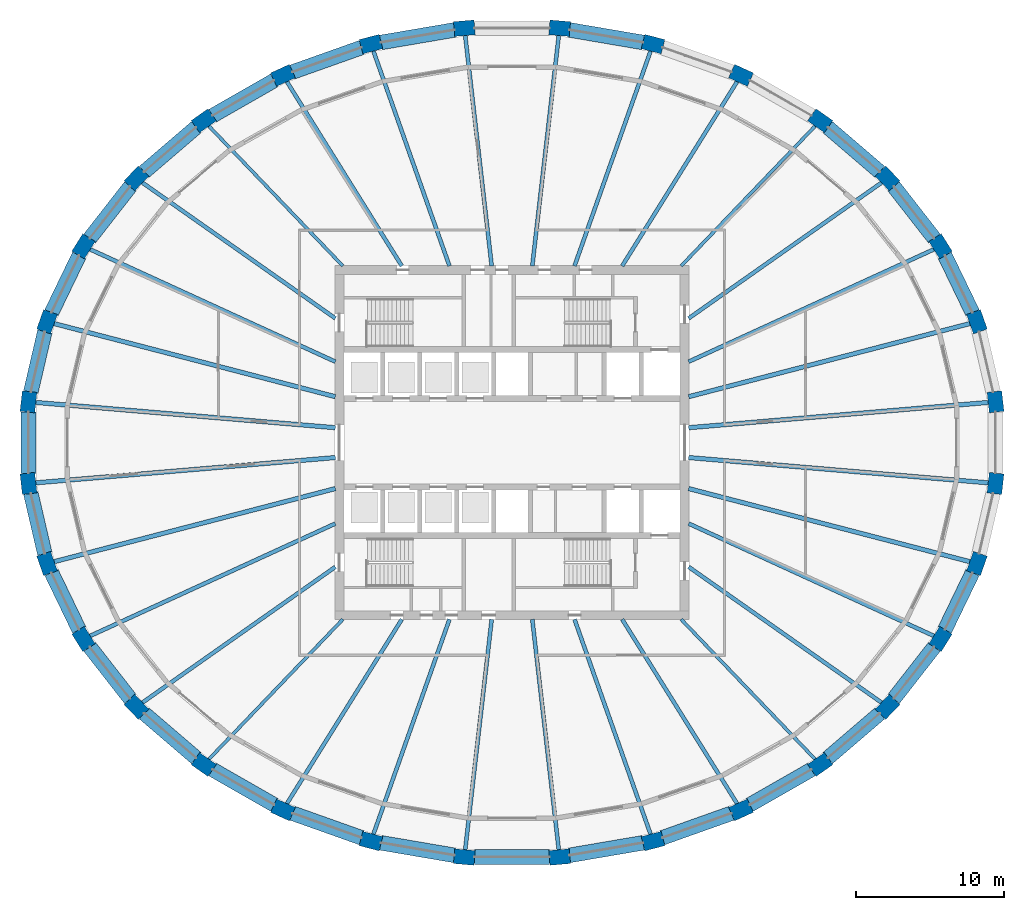
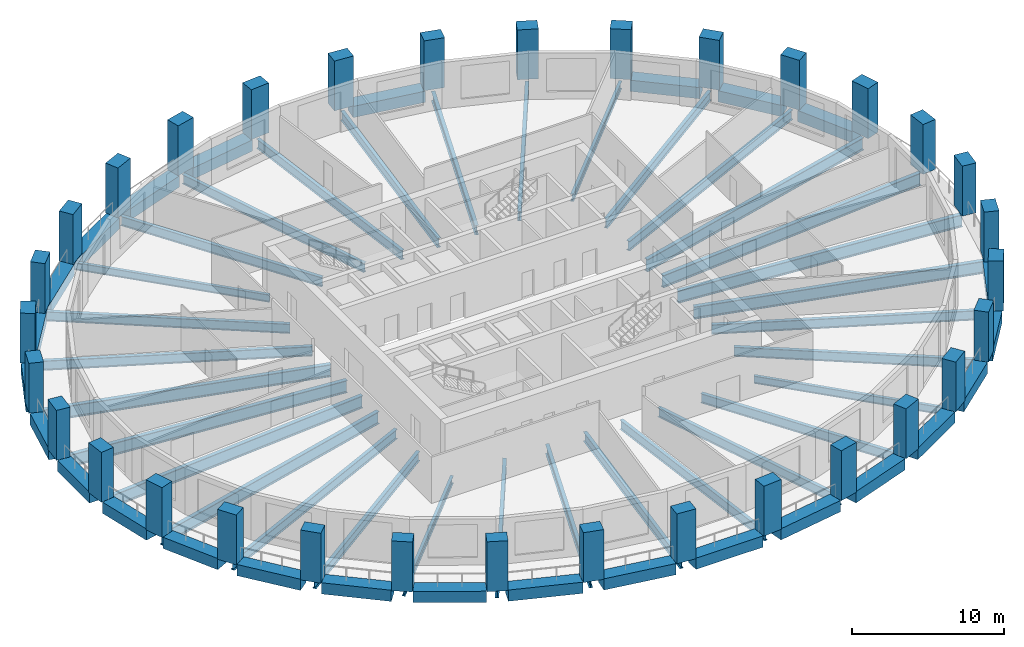
# One storey, part 1 of 10: 58 beams, 32 columns.
"""IFC4 building model written with IfcOpenShell, lengths in metres."""

from ifc_helpers import new_model, si_unit, direction, frame, origin, origin_2d, place, context, subcontext, project, spatial, rectangle, i_section, extrude, material, material_profile, profile_set, type_object, element, save


model = new_model("IFC4")

# Units and contexts
model_context = context("Model", 3, precision=1e-05, world=origin(), true_north=direction((0.0, 1.0)))
body_context = subcontext(model_context, "Body", "Model", "MODEL_VIEW")
ifc_project = project(units=[si_unit("LENGTHUNIT", "METRE"), si_unit("AREAUNIT", "SQUARE_METRE"), si_unit("VOLUMEUNIT", "CUBIC_METRE"), si_unit("PLANEANGLEUNIT", "RADIAN"), si_unit("MASSUNIT", "GRAM", prefix="KILO")], contexts=[model_context])

# Site, building, storey
site_placement = place(None, origin())
site = spatial("IfcSite", under=ifc_project, at=site_placement, CompositionType="ELEMENT")
building_placement = place(site_placement, origin())
building = spatial("IfcBuilding", under=site, at=building_placement, Name="Halqa Exchange Tower", CompositionType="ELEMENT")
storey_placement = place(building_placement, frame((0.0, 0.0, 178.89990234375)))
storey = spatial("IfcBuildingStorey", under=building, at=storey_placement, Name="L40", CompositionType="ELEMENT", Elevation=178.89990234375)

# Columns
ifc_material_1 = material(Name="Concrete C70/85", Category="concrete")
ifc_material_profile_1 = material_profile(ifc_material_1, rectangle(XDim=1.39990234375, YDim=1.0, at=origin_2d()), Name="1400 x 1000")
ifc_profile_set_1 = profile_set([ifc_material_profile_1], Name="Concrete C70/85")
column_type = type_object("IfcColumnType", Name="RC ring column 1400 x 1000 C70/85", PredefinedType="COLUMN", material=ifc_profile_set_1)
for number, where, z_axis, x_axis, name in (
    (1, (32.7626953125, 2.765869140625, 0.0), (0.0, 0.0, 1.0), (-0.114158655897, 0.993462531394, 0.0), "Ring column 1"),
    (2, (31.50341796875, 8.19140625, 0.0), (0.0, 0.0, 1.0), (-0.333632460227, 0.942703230865, 0.0), "Ring column 2"),
    (3, (29.03369140625, 13.302001953125, 0.0), (0.0, 0.0, 1.0), (-0.529137534311, 0.848536074533, 0.0), "Ring column 3"),
    (4, (25.448486328125, 17.9013671875, 0.0), (0.0, 0.0, 1.0), (-0.691574830638, 0.722304820438, 0.0), "Ring column 4"),
    (5, (20.885009765625, 21.81298828125, 0.0), (0.0, 0.0, 1.0), (-0.817911800523, 0.575343624772, 0.0), "Ring column 5"),
    (6, (15.518798828125, 24.885986328125, 0.0), (0.0, 0.0, 1.0), (-0.909127822794, 0.416517228722, 0.0), "Ring column 6"),
    (7, (9.556396484375, 27.0029296875, 0.0), (0.0, 0.0, 1.0), (-0.967819503571, 0.251645402317, 0.0), "Ring column 7"),
    (8, (3.226806640625, 28.082275390625, 0.0), (0.0, 0.0, 1.0), (-0.996455372165, 0.084123072248, 0.0), "Ring column 8"),
    (9, (-3.226806640625, 28.082275390625, 0.0), (0.0, 0.0, 1.0), (-0.996455372165, -0.084123072248, 0.0), "Ring column 9"),
    (10, (-9.556396484375, 27.0029296875, 0.0), (0.0, 0.0, 1.0), (-0.967819503571, -0.251645402317, 0.0), "Ring column 10"),
    (11, (-15.518798828125, 24.885986328125, 0.0), (0.0, 0.0, 1.0), (-0.909127822794, -0.416517228722, 0.0), "Ring column 11"),
    (12, (-20.885009765625, 21.81298828125, 0.0), (0.0, 0.0, 1.0), (-0.817911800523, -0.575343624772, 0.0), "Ring column 12"),
    (13, (-25.448486328125, 17.9013671875, 0.0), (0.0, 0.0, 1.0), (-0.691574830638, -0.722304820438, 0.0), "Ring column 13"),
    (14, (-29.03369140625, 13.302001953125, 0.0), (0.0, 0.0, 1.0), (-0.529137534311, -0.848536074533, 0.0), "Ring column 14"),
    (15, (-31.50341796875, 8.19140625, 0.0), (0.0, 0.0, 1.0), (-0.333632460227, -0.942703230865, 0.0), "Ring column 15"),
    (16, (-32.7626953125, 2.765869140625, 0.0), (0.0, 0.0, 1.0), (-0.114158655897, -0.993462531394, 0.0), "Ring column 16"),
    (17, (-32.7626953125, -2.765869140625, 0.0), (0.0, 0.0, 1.0), (0.114158655897, -0.993462531394, 0.0), "Ring column 17"),
    (18, (-31.50341796875, -8.19140625, 0.0), (0.0, 0.0, 1.0), (0.333632460227, -0.942703230865, 0.0), "Ring column 18"),
    (19, (-29.03369140625, -13.302001953125, 0.0), (0.0, 0.0, 1.0), (0.529137534311, -0.848536074533, 0.0), "Ring column 19"),
    (20, (-25.448486328125, -17.9013671875, 0.0), (0.0, 0.0, 1.0), (0.691574830638, -0.722304820438, 0.0), "Ring column 20"),
    (21, (-20.885009765625, -21.81298828125, 0.0), (0.0, 0.0, 1.0), (0.817911800523, -0.575343624772, 0.0), "Ring column 21"),
    (22, (-15.518798828125, -24.885986328125, 0.0), (0.0, 0.0, 1.0), (0.909127822794, -0.416517228722, 0.0), "Ring column 22"),
    (23, (-9.556396484375, -27.0029296875, 0.0), (0.0, 0.0, 1.0), (0.967819503571, -0.251645402317, 0.0), "Ring column 23"),
    (24, (-3.226806640625, -28.082275390625, 0.0), (0.0, 0.0, 1.0), (0.996455372165, -0.084123072248, 0.0), "Ring column 24"),
    (25, (3.226806640625, -28.082275390625, 0.0), (0.0, 0.0, 1.0), (0.996455372165, 0.084123072248, 0.0), "Ring column 25"),
    (26, (9.556396484375, -27.0029296875, 0.0), (0.0, 0.0, 1.0), (0.967819503571, 0.251645402317, 0.0), "Ring column 26"),
    (27, (15.518798828125, -24.885986328125, 0.0), (0.0, 0.0, 1.0), (0.909127822794, 0.416517228722, 0.0), "Ring column 27"),
    (28, (20.885009765625, -21.81298828125, 0.0), (0.0, 0.0, 1.0), (0.817911800523, 0.575343624772, 0.0), "Ring column 28"),
    (29, (25.448486328125, -17.9013671875, 0.0), (0.0, 0.0, 1.0), (0.691574830638, 0.722304820438, 0.0), "Ring column 29"),
    (30, (29.03369140625, -13.302001953125, 0.0), (0.0, 0.0, 1.0), (0.529137534311, 0.848536074533, 0.0), "Ring column 30"),
    (31, (31.50341796875, -8.19140625, 0.0), (0.0, 0.0, 1.0), (0.333632460227, 0.942703230865, 0.0), "Ring column 31"),
    (32, (32.7626953125, -2.765869140625, 0.0), (0.0, 0.0, 1.0), (0.114158655897, 0.993462531394, 0.0), "Ring column 32"),
):
    element("IfcColumn", number, at=place(storey_placement, frame(where, z_axis=z_axis, x_axis=x_axis)), inside=storey, type_object=column_type, Name=name, PredefinedType="COLUMN", context=body_context, shape_type="SweptSolid", body=[
        extrude(rectangle(XDim=1.39990234375, YDim=1.0, at=origin_2d()), origin(), (0.0, 0.0, 1.0), 4.0),
    ])

# Beams
ifc_material_2 = material(Name="Steel S355", Category="steel")
ifc_material_profile_2 = material_profile(ifc_material_2, i_section(OverallWidth=0.300048828125, OverallDepth=0.989990234375, WebThickness=0.0166015625, FlangeThickness=0.031005859375, FilletRadius=0.030029296875, at=origin_2d()), Name="HEA 1000")
ifc_profile_set_2 = profile_set([ifc_material_profile_2], Name="Steel S355")
beam_type_1 = type_object("IfcBeamType", Name="Floor beam HEA 1000", PredefinedType="BEAM", material=ifc_profile_set_2)
beam_1_placement = place(storey_placement, frame((11.972412109375, 1.0107421875, -0.794921875), z_axis=(0.996455573908, 0.084120682519, 0.0), x_axis=(-0.084120682519, 0.996455573908, 0.0)))
element("IfcBeam", 33, at=beam_1_placement, inside=storey, type_object=beam_type_1, Name="Radial beam 1", PredefinedType="BEAM", context=body_context, shape_type="SweptSolid", body=[
    extrude(i_section(OverallWidth=0.300048828125, OverallDepth=0.989990234375, WebThickness=0.0166015625, FlangeThickness=0.031005859375, FilletRadius=0.030029296875, at=origin_2d()), origin(), (0.0, 0.0, 1.0), 20.63232421875),
])
for number, where, z_axis, x_axis, name in (
    (34, (11.97119140625, 3.11279296875, -0.794921875), (0.967822327931, 0.251634539676, 0.0), (-0.251634539676, 0.967822327931, 0.0), "Radial beam 2"),
    (35, (-11.97119140625, 3.11279296875, -0.794921875), (-0.967822327931, 0.251634539676, 0.0), (-0.251634539676, -0.967822327931, 0.0), "Radial beam 15"),
):
    element("IfcBeam", number, at=place(storey_placement, frame(where, z_axis=z_axis, x_axis=x_axis)), inside=storey, type_object=beam_type_1, Name=name, PredefinedType="BEAM", context=body_context, shape_type="SweptSolid", body=[
        extrude(i_section(OverallWidth=0.300048828125, OverallDepth=0.989990234375, WebThickness=0.0166015625, FlangeThickness=0.031005859375, FilletRadius=0.030029296875, at=origin_2d()), origin(), (0.0, 0.0, 1.0), 19.94580078125),
    ])
for number, where, z_axis, x_axis, name in (
    (36, (-11.972412109375, 1.0107421875, -0.794921875), (-0.996455573908, 0.084120682519, 0.0), (-0.084120682519, -0.996455573908, 0.0), "Radial beam 16"),
    (37, (-11.972412109375, -1.0107421875, -0.794921875), (-0.996455573908, -0.084120682519, 0.0), (0.084120682519, -0.996455573908, 0.0), "Radial beam 17"),
):
    element("IfcBeam", number, at=place(storey_placement, frame(where, z_axis=z_axis, x_axis=x_axis)), inside=storey, type_object=beam_type_1, Name=name, PredefinedType="BEAM", context=body_context, shape_type="SweptSolid", body=[
        extrude(i_section(OverallWidth=0.300048828125, OverallDepth=0.989990234375, WebThickness=0.0166015625, FlangeThickness=0.031005859375, FilletRadius=0.030029296875, at=origin_2d()), origin(), (0.0, 0.0, 1.0), 20.63232421875),
    ])
for number, where, z_axis, x_axis, name in (
    (38, (-11.97119140625, -3.11279296875, -0.794921875), (-0.967822327931, -0.251634539676, 0.0), (0.251634539676, -0.967822327931, 0.0), "Radial beam 18"),
    (39, (11.97119140625, -3.11279296875, -0.794921875), (0.967822327931, -0.251634539676, 0.0), (0.251634539676, 0.967822327931, 0.0), "Radial beam 31"),
):
    element("IfcBeam", number, at=place(storey_placement, frame(where, z_axis=z_axis, x_axis=x_axis)), inside=storey, type_object=beam_type_1, Name=name, PredefinedType="BEAM", context=body_context, shape_type="SweptSolid", body=[
        extrude(i_section(OverallWidth=0.300048828125, OverallDepth=0.989990234375, WebThickness=0.0166015625, FlangeThickness=0.031005859375, FilletRadius=0.030029296875, at=origin_2d()), origin(), (0.0, 0.0, 1.0), 19.94580078125),
    ])
beam_2_placement = place(storey_placement, frame((11.972412109375, -1.0107421875, -0.794921875), z_axis=(0.996455573908, -0.084120682519, 0.0), x_axis=(0.084120682519, 0.996455573908, 0.0)))
element("IfcBeam", 40, at=beam_2_placement, inside=storey, type_object=beam_type_1, Name="Radial beam 32", PredefinedType="BEAM", context=body_context, shape_type="SweptSolid", body=[
    extrude(i_section(OverallWidth=0.300048828125, OverallDepth=0.989990234375, WebThickness=0.0166015625, FlangeThickness=0.031005859375, FilletRadius=0.030029296875, at=origin_2d()), origin(), (0.0, 0.0, 1.0), 20.63232421875),
])
ifc_material_profile_3 = material_profile(ifc_material_2, i_section(OverallWidth=0.219970703125, OverallDepth=0.60009765625, WebThickness=0.011962890625, FlangeThickness=0.01904296875, FilletRadius=0.02392578125, at=origin_2d()), Name="IPE 600")
ifc_profile_set_3 = profile_set([ifc_material_profile_3], Name="Steel S355")
beam_type_2 = type_object("IfcBeamType", Name="Floor beam IPE 600", PredefinedType="BEAM", material=ifc_profile_set_3)
for number, where, z_axis, x_axis, name in (
    (41, (11.463134765625, 11.972412109375, -0.599853515625), (0.691571093897, 0.722308398184, 0.0), (-0.722308398184, 0.691571093897, 0.0), "Radial beam 5"),
    (42, (-11.463134765625, 11.972412109375, -0.599853515625), (-0.691571093897, 0.722308398184, 0.0), (-0.722308398184, -0.691571093897, 0.0), "Radial beam 12"),
    (43, (-11.463134765625, -11.972412109375, -0.599853515625), (-0.691571093897, -0.722308398184, 0.0), (0.722308398184, -0.691571093897, 0.0), "Radial beam 21"),
    (44, (11.463134765625, -11.972412109375, -0.599853515625), (0.691571093897, -0.722308398184, 0.0), (0.722308398184, 0.691571093897, 0.0), "Radial beam 28"),
):
    element("IfcBeam", number, at=place(storey_placement, frame(where, z_axis=z_axis, x_axis=x_axis)), inside=storey, type_object=beam_type_2, Name=name, PredefinedType="BEAM", context=body_context, shape_type="SweptSolid", body=[
        extrude(i_section(OverallWidth=0.219970703125, OverallDepth=0.60009765625, WebThickness=0.011962890625, FlangeThickness=0.01904296875, FilletRadius=0.02392578125, at=origin_2d()), origin(), (0.0, 0.0, 1.0), 13.375732421875),
    ])
ifc_material_profile_4 = material_profile(ifc_material_2, i_section(OverallWidth=0.264892578125, OverallDepth=0.7529296875, WebThickness=0.01318359375, FlangeThickness=0.01708984375, FilletRadius=0.01708984375, at=origin_2d()), Name="IPE 750x147")
ifc_profile_set_4 = profile_set([ifc_material_profile_4], Name="Steel S355")
beam_type_3 = type_object("IfcBeamType", Name="Floor beam IPE 750x147", PredefinedType="BEAM", material=ifc_profile_set_4)
beam_3_placement = place(storey_placement, frame((11.97216796875, 8.421630859375, -0.676513671875), z_axis=(0.81790629386, 0.575351452995, 0.0), x_axis=(-0.575351452995, 0.81790629386, 0.0)))
element("IfcBeam", 45, at=beam_3_placement, inside=storey, type_object=beam_type_3, Name="Radial beam 4", PredefinedType="BEAM", context=body_context, shape_type="SweptSolid", body=[
    extrude(i_section(OverallWidth=0.264892578125, OverallDepth=0.7529296875, WebThickness=0.01318359375, FlangeThickness=0.01708984375, FilletRadius=0.01708984375, at=origin_2d()), origin(), (0.0, 0.0, 1.0), 16.232421875),
])
beam_4_placement = place(storey_placement, frame((7.466064453125, 11.972412109375, -0.676513671875), z_axis=(0.529132105538, 0.84853945983, 0.0), x_axis=(-0.84853945983, 0.529132105538, 0.0)))
element("IfcBeam", 46, at=beam_4_placement, inside=storey, type_object=beam_type_3, Name="Radial beam 6", PredefinedType="BEAM", context=body_context, shape_type="SweptSolid", body=[
    extrude(i_section(OverallWidth=0.264892578125, OverallDepth=0.7529296875, WebThickness=0.01318359375, FlangeThickness=0.01708984375, FilletRadius=0.01708984375, at=origin_2d()), origin(), (0.0, 0.0, 1.0), 14.966796875),
])
beam_5_placement = place(storey_placement, frame((4.23681640625, 11.9716796875, -0.676513671875), z_axis=(0.333629700929, 0.942704207404, 0.0), x_axis=(-0.942704207404, 0.333629700929, 0.0)))
element("IfcBeam", 47, at=beam_5_placement, inside=storey, type_object=beam_type_3, Name="Radial beam 7", PredefinedType="BEAM", context=body_context, shape_type="SweptSolid", body=[
    extrude(i_section(OverallWidth=0.264892578125, OverallDepth=0.7529296875, WebThickness=0.01318359375, FlangeThickness=0.01708984375, FilletRadius=0.01708984375, at=origin_2d()), origin(), (0.0, 0.0, 1.0), 15.69287109375),
])
for number, where, z_axis, x_axis, name in (
    (48, (1.375732421875, 11.972900390625, -0.676513671875), (0.114152671345, 0.99346321906, 0.0), (-0.99346321906, 0.114152671345, 0.0), "Radial beam 8"),
    (49, (-1.375732421875, 11.972900390625, -0.676513671875), (-0.114152671345, 0.99346321906, 0.0), (-0.99346321906, -0.114152671345, 0.0), "Radial beam 9"),
):
    element("IfcBeam", number, at=place(storey_placement, frame(where, z_axis=z_axis, x_axis=x_axis)), inside=storey, type_object=beam_type_3, Name=name, PredefinedType="BEAM", context=body_context, shape_type="SweptSolid", body=[
        extrude(i_section(OverallWidth=0.264892578125, OverallDepth=0.7529296875, WebThickness=0.01318359375, FlangeThickness=0.01708984375, FilletRadius=0.01708984375, at=origin_2d()), origin(), (0.0, 0.0, 1.0), 15.961181640625),
    ])
beam_6_placement = place(storey_placement, frame((-4.23681640625, 11.9716796875, -0.676513671875), z_axis=(-0.333629700929, 0.942704207404, 0.0), x_axis=(-0.942704207404, -0.333629700929, 0.0)))
element("IfcBeam", 50, at=beam_6_placement, inside=storey, type_object=beam_type_3, Name="Radial beam 10", PredefinedType="BEAM", context=body_context, shape_type="SweptSolid", body=[
    extrude(i_section(OverallWidth=0.264892578125, OverallDepth=0.7529296875, WebThickness=0.01318359375, FlangeThickness=0.01708984375, FilletRadius=0.01708984375, at=origin_2d()), origin(), (0.0, 0.0, 1.0), 15.69287109375),
])
beam_7_placement = place(storey_placement, frame((-7.466064453125, 11.972412109375, -0.676513671875), z_axis=(-0.529132105538, 0.84853945983, 0.0), x_axis=(-0.84853945983, -0.529132105538, 0.0)))
element("IfcBeam", 51, at=beam_7_placement, inside=storey, type_object=beam_type_3, Name="Radial beam 11", PredefinedType="BEAM", context=body_context, shape_type="SweptSolid", body=[
    extrude(i_section(OverallWidth=0.264892578125, OverallDepth=0.7529296875, WebThickness=0.01318359375, FlangeThickness=0.01708984375, FilletRadius=0.01708984375, at=origin_2d()), origin(), (0.0, 0.0, 1.0), 14.966796875),
])
for number, where, z_axis, x_axis, name in (
    (52, (-11.97216796875, 8.421630859375, -0.676513671875), (-0.81790629386, 0.575351452995, 0.0), (-0.575351452995, -0.81790629386, 0.0), "Radial beam 13"),
    (53, (-11.97216796875, -8.421630859375, -0.676513671875), (-0.81790629386, -0.575351452995, 0.0), (0.575351452995, -0.81790629386, 0.0), "Radial beam 20"),
):
    element("IfcBeam", number, at=place(storey_placement, frame(where, z_axis=z_axis, x_axis=x_axis)), inside=storey, type_object=beam_type_3, Name=name, PredefinedType="BEAM", context=body_context, shape_type="SweptSolid", body=[
        extrude(i_section(OverallWidth=0.264892578125, OverallDepth=0.7529296875, WebThickness=0.01318359375, FlangeThickness=0.01708984375, FilletRadius=0.01708984375, at=origin_2d()), origin(), (0.0, 0.0, 1.0), 16.232421875),
    ])
beam_8_placement = place(storey_placement, frame((-7.466064453125, -11.972412109375, -0.676513671875), z_axis=(-0.529132105538, -0.84853945983, 0.0), x_axis=(0.84853945983, -0.529132105538, 0.0)))
element("IfcBeam", 54, at=beam_8_placement, inside=storey, type_object=beam_type_3, Name="Radial beam 22", PredefinedType="BEAM", context=body_context, shape_type="SweptSolid", body=[
    extrude(i_section(OverallWidth=0.264892578125, OverallDepth=0.7529296875, WebThickness=0.01318359375, FlangeThickness=0.01708984375, FilletRadius=0.01708984375, at=origin_2d()), origin(), (0.0, 0.0, 1.0), 14.966796875),
])
beam_9_placement = place(storey_placement, frame((-4.23681640625, -11.9716796875, -0.676513671875), z_axis=(-0.333629700929, -0.942704207404, 0.0), x_axis=(0.942704207404, -0.333629700929, 0.0)))
element("IfcBeam", 55, at=beam_9_placement, inside=storey, type_object=beam_type_3, Name="Radial beam 23", PredefinedType="BEAM", context=body_context, shape_type="SweptSolid", body=[
    extrude(i_section(OverallWidth=0.264892578125, OverallDepth=0.7529296875, WebThickness=0.01318359375, FlangeThickness=0.01708984375, FilletRadius=0.01708984375, at=origin_2d()), origin(), (0.0, 0.0, 1.0), 15.69287109375),
])
for number, where, z_axis, x_axis, name in (
    (56, (-1.375732421875, -11.972900390625, -0.676513671875), (-0.114152671345, -0.99346321906, 0.0), (0.99346321906, -0.114152671345, 0.0), "Radial beam 24"),
    (57, (1.375732421875, -11.972900390625, -0.676513671875), (0.114152671345, -0.99346321906, 0.0), (0.99346321906, 0.114152671345, 0.0), "Radial beam 25"),
):
    element("IfcBeam", number, at=place(storey_placement, frame(where, z_axis=z_axis, x_axis=x_axis)), inside=storey, type_object=beam_type_3, Name=name, PredefinedType="BEAM", context=body_context, shape_type="SweptSolid", body=[
        extrude(i_section(OverallWidth=0.264892578125, OverallDepth=0.7529296875, WebThickness=0.01318359375, FlangeThickness=0.01708984375, FilletRadius=0.01708984375, at=origin_2d()), origin(), (0.0, 0.0, 1.0), 15.961181640625),
    ])
beam_10_placement = place(storey_placement, frame((4.23681640625, -11.9716796875, -0.676513671875), z_axis=(0.333629700929, -0.942704207404, 0.0), x_axis=(0.942704207404, 0.333629700929, 0.0)))
element("IfcBeam", 58, at=beam_10_placement, inside=storey, type_object=beam_type_3, Name="Radial beam 26", PredefinedType="BEAM", context=body_context, shape_type="SweptSolid", body=[
    extrude(i_section(OverallWidth=0.264892578125, OverallDepth=0.7529296875, WebThickness=0.01318359375, FlangeThickness=0.01708984375, FilletRadius=0.01708984375, at=origin_2d()), origin(), (0.0, 0.0, 1.0), 15.69287109375),
])
beam_11_placement = place(storey_placement, frame((7.466064453125, -11.972412109375, -0.676513671875), z_axis=(0.529132105538, -0.84853945983, 0.0), x_axis=(0.84853945983, 0.529132105538, 0.0)))
element("IfcBeam", 59, at=beam_11_placement, inside=storey, type_object=beam_type_3, Name="Radial beam 27", PredefinedType="BEAM", context=body_context, shape_type="SweptSolid", body=[
    extrude(i_section(OverallWidth=0.264892578125, OverallDepth=0.7529296875, WebThickness=0.01318359375, FlangeThickness=0.01708984375, FilletRadius=0.01708984375, at=origin_2d()), origin(), (0.0, 0.0, 1.0), 14.966796875),
])
beam_12_placement = place(storey_placement, frame((11.97216796875, -8.421630859375, -0.676513671875), z_axis=(0.81790629386, -0.575351452995, 0.0), x_axis=(0.575351452995, 0.81790629386, 0.0)))
element("IfcBeam", 60, at=beam_12_placement, inside=storey, type_object=beam_type_3, Name="Radial beam 29", PredefinedType="BEAM", context=body_context, shape_type="SweptSolid", body=[
    extrude(i_section(OverallWidth=0.264892578125, OverallDepth=0.7529296875, WebThickness=0.01318359375, FlangeThickness=0.01708984375, FilletRadius=0.01708984375, at=origin_2d()), origin(), (0.0, 0.0, 1.0), 16.232421875),
])
ifc_material_profile_5 = material_profile(ifc_material_2, i_section(OverallWidth=0.26806640625, OverallDepth=0.77001953125, WebThickness=0.015625, FlangeThickness=0.025390625, FilletRadius=0.01708984375, at=origin_2d()), Name="IPE 750x196")
ifc_profile_set_5 = profile_set([ifc_material_profile_5], Name="Steel S355")
beam_type_4 = type_object("IfcBeamType", Name="Floor beam IPE 750x196", PredefinedType="BEAM", material=ifc_profile_set_5)
for number, where, z_axis, x_axis, name in (
    (61, (11.97119140625, 5.484619140625, -0.684814453125), (0.909128238354, 0.416516321681, 0.0), (-0.416516321681, 0.909128238354, 0.0), "Radial beam 3"),
    (62, (-11.97119140625, 5.484619140625, -0.684814453125), (-0.909128238354, 0.416516321681, 0.0), (-0.416516321681, -0.909128238354, 0.0), "Radial beam 14"),
    (63, (-11.97119140625, -5.484619140625, -0.684814453125), (-0.909128238354, -0.416516321681, 0.0), (0.416516321681, -0.909128238354, 0.0), "Radial beam 19"),
    (64, (11.97119140625, -5.484619140625, -0.684814453125), (0.909128238354, -0.416516321681, 0.0), (0.416516321681, 0.909128238354, 0.0), "Radial beam 30"),
):
    element("IfcBeam", number, at=place(storey_placement, frame(where, z_axis=z_axis, x_axis=x_axis)), inside=storey, type_object=beam_type_4, Name=name, PredefinedType="BEAM", context=body_context, shape_type="SweptSolid", body=[
        extrude(i_section(OverallWidth=0.26806640625, OverallDepth=0.77001953125, WebThickness=0.015625, FlangeThickness=0.025390625, FilletRadius=0.01708984375, at=origin_2d()), origin(), (0.0, 0.0, 1.0), 18.528076171875),
    ])
ifc_material_3 = material(Name="Concrete C60/75", Category="concrete")
ifc_material_profile_6 = material_profile(ifc_material_3, rectangle(XDim=1.0, YDim=0.89990234375, at=origin_2d()), Name="1000 x 900")
ifc_profile_set_6 = profile_set([ifc_material_profile_6], Name="Concrete C60/75")
beam_type_5 = type_object("IfcBeamType", Name="RC spandrel beam 1000 x 900 C60/75", PredefinedType="SPANDREL", material=ifc_profile_set_6)
beam_13_placement = place(storey_placement, frame((31.209228515625, 8.800048828125, -0.449951171875), z_axis=(-0.435115273313, 0.900374754716, 0.0), x_axis=(-0.900374754716, -0.435115273313, 0.0)))
element("IfcBeam", 65, at=beam_13_placement, inside=storey, type_object=beam_type_5, Name="Spandrel 2", PredefinedType="SPANDREL", context=body_context, shape_type="SweptSolid", body=[
    extrude(rectangle(XDim=1.0, YDim=0.89990234375, at=origin_2d()), origin(), (0.0, 0.0, 1.0), 4.324951171875),
])
beam_14_placement = place(storey_placement, frame((28.618408203125, 13.8349609375, -0.449951171875), z_axis=(-0.61479263839, 0.788688792732, 0.0), x_axis=(-0.788688792732, -0.61479263839, 0.0)))
element("IfcBeam", 66, at=beam_14_placement, inside=storey, type_object=beam_type_5, Name="Spandrel 3", PredefinedType="SPANDREL", context=body_context, shape_type="SweptSolid", body=[
    extrude(rectangle(XDim=1.0, YDim=0.89990234375, at=origin_2d()), origin(), (0.0, 0.0, 1.0), 4.4814453125),
])
beam_15_placement = place(storey_placement, frame((24.935546875, 18.3408203125, -0.449951171875), z_axis=(-0.759238115243, 0.650812941145, 0.0), x_axis=(-0.650812941145, -0.759238115243, 0.0)))
element("IfcBeam", 67, at=beam_15_placement, inside=storey, type_object=beam_type_5, Name="Spandrel 4", PredefinedType="SPANDREL", context=body_context, shape_type="SweptSolid", body=[
    extrude(rectangle(XDim=1.0, YDim=0.89990234375, at=origin_2d()), origin(), (0.0, 0.0, 1.0), 4.6611328125),
])
for number, where, z_axis, x_axis, name in (
    (68, (8.892333984375, 27.1162109375, -0.449951171875), (-0.985771657048, 0.168089976386, 0.0), (-0.168089976386, -0.985771657048, 0.0), "Spandrel 7"),
    (69, (-3.892578125, 27.96875, -0.449951171875), (-0.985771657048, -0.168089976386, 0.0), (0.168089976386, -0.985771657048, 0.0), "Spandrel 9"),
):
    element("IfcBeam", number, at=place(storey_placement, frame(where, z_axis=z_axis, x_axis=x_axis)), inside=storey, type_object=beam_type_5, Name=name, PredefinedType="SPANDREL", context=body_context, shape_type="SweptSolid", body=[
        extrude(rectangle(XDim=1.0, YDim=0.89990234375, at=origin_2d()), origin(), (0.0, 0.0, 1.0), 5.072021484375),
    ])
beam_16_placement = place(storey_placement, frame((-10.19189453125, 26.77734375, -0.449951171875), z_axis=(-0.942363905459, -0.3345897035, 0.0), x_axis=(0.3345897035, -0.942363905459, 0.0)))
element("IfcBeam", 70, at=beam_16_placement, inside=storey, type_object=beam_type_5, Name="Spandrel 10", PredefinedType="SPANDREL", context=body_context, shape_type="SweptSolid", body=[
    extrude(rectangle(XDim=1.0, YDim=0.89990234375, at=origin_2d()), origin(), (0.0, 0.0, 1.0), 4.977783203125),
])
beam_17_placement = place(storey_placement, frame((-16.103759765625, 24.55126953125, -0.449951171875), z_axis=(-0.867742419962, -0.497014177462, 0.0), x_axis=(0.497014177462, -0.867742419962, 0.0)))
element("IfcBeam", 71, at=beam_17_placement, inside=storey, type_object=beam_type_5, Name="Spandrel 11", PredefinedType="SPANDREL", context=body_context, shape_type="SweptSolid", body=[
    extrude(rectangle(XDim=1.0, YDim=0.89990234375, at=origin_2d()), origin(), (0.0, 0.0, 1.0), 4.8349609375),
])
beam_18_placement = place(storey_placement, frame((-21.396728515625, 21.374267578125, -0.449951171875), z_axis=(-0.759238115243, -0.650812941145, 0.0), x_axis=(0.650812941145, -0.759238115243, 0.0)))
element("IfcBeam", 72, at=beam_18_placement, inside=storey, type_object=beam_type_5, Name="Spandrel 12", PredefinedType="SPANDREL", context=body_context, shape_type="SweptSolid", body=[
    extrude(rectangle(XDim=1.0, YDim=0.89990234375, at=origin_2d()), origin(), (0.0, 0.0, 1.0), 4.6611328125),
])
beam_19_placement = place(storey_placement, frame((-25.86328125, 17.369384765625, -0.449951171875), z_axis=(-0.61479263839, -0.788688792732, 0.0), x_axis=(0.788688792732, -0.61479263839, 0.0)))
element("IfcBeam", 73, at=beam_19_placement, inside=storey, type_object=beam_type_5, Name="Spandrel 13", PredefinedType="SPANDREL", context=body_context, shape_type="SweptSolid", body=[
    extrude(rectangle(XDim=1.0, YDim=0.89990234375, at=origin_2d()), origin(), (0.0, 0.0, 1.0), 4.4814453125),
])
beam_20_placement = place(storey_placement, frame((-29.327392578125, 12.694091796875, -0.449951171875), z_axis=(-0.435115273313, -0.900374754716, 0.0), x_axis=(0.900374754716, -0.435115273313, 0.0)))
element("IfcBeam", 74, at=beam_20_placement, inside=storey, type_object=beam_type_5, Name="Spandrel 14", PredefinedType="SPANDREL", context=body_context, shape_type="SweptSolid", body=[
    extrude(rectangle(XDim=1.0, YDim=0.89990234375, at=origin_2d()), origin(), (0.0, 0.0, 1.0), 4.324951171875),
])
beam_21_placement = place(storey_placement, frame((-31.656494140625, 7.53173828125, -0.449951171875), z_axis=(-0.226085562034, -0.974107447174, 0.0), x_axis=(0.974107447174, -0.226085562034, 0.0)))
element("IfcBeam", 75, at=beam_21_placement, inside=storey, type_object=beam_type_5, Name="Spandrel 15", PredefinedType="SPANDREL", context=body_context, shape_type="SweptSolid", body=[
    extrude(rectangle(XDim=1.0, YDim=0.89990234375, at=origin_2d()), origin(), (0.0, 0.0, 1.0), 4.216796875),
])
beam_22_placement = place(storey_placement, frame((-32.7626953125, 2.08984375, -0.449951171875), z_axis=(0.0, -1.0, 0.0), x_axis=(1.0, 0.0, 0.0)))
element("IfcBeam", 76, at=beam_22_placement, inside=storey, type_object=beam_type_5, Name="Spandrel 16", PredefinedType="SPANDREL", context=body_context, shape_type="SweptSolid", body=[
    extrude(rectangle(XDim=1.0, YDim=0.89990234375, at=origin_2d()), origin(), (0.0, 0.0, 1.0), 4.1796875),
])
beam_23_placement = place(storey_placement, frame((-32.60986328125, -3.424072265625, -0.449951171875), z_axis=(0.226085562034, -0.974107447174, 0.0), x_axis=(0.974107447174, 0.226085562034, 0.0)))
element("IfcBeam", 77, at=beam_23_placement, inside=storey, type_object=beam_type_5, Name="Spandrel 17", PredefinedType="SPANDREL", context=body_context, shape_type="SweptSolid", body=[
    extrude(rectangle(XDim=1.0, YDim=0.89990234375, at=origin_2d()), origin(), (0.0, 0.0, 1.0), 4.216796875),
])
beam_24_placement = place(storey_placement, frame((-31.209228515625, -8.800048828125, -0.449951171875), z_axis=(0.435115273313, -0.900374754716, 0.0), x_axis=(0.900374754716, 0.435115273313, 0.0)))
element("IfcBeam", 78, at=beam_24_placement, inside=storey, type_object=beam_type_5, Name="Spandrel 18", PredefinedType="SPANDREL", context=body_context, shape_type="SweptSolid", body=[
    extrude(rectangle(XDim=1.0, YDim=0.89990234375, at=origin_2d()), origin(), (0.0, 0.0, 1.0), 4.324951171875),
])
beam_25_placement = place(storey_placement, frame((-28.618408203125, -13.8349609375, -0.449951171875), z_axis=(0.61479263839, -0.788688792732, 0.0), x_axis=(0.788688792732, 0.61479263839, 0.0)))
element("IfcBeam", 79, at=beam_25_placement, inside=storey, type_object=beam_type_5, Name="Spandrel 19", PredefinedType="SPANDREL", context=body_context, shape_type="SweptSolid", body=[
    extrude(rectangle(XDim=1.0, YDim=0.89990234375, at=origin_2d()), origin(), (0.0, 0.0, 1.0), 4.4814453125),
])
beam_26_placement = place(storey_placement, frame((-24.935546875, -18.3408203125, -0.449951171875), z_axis=(0.759238115243, -0.650812941145, 0.0), x_axis=(0.650812941145, 0.759238115243, 0.0)))
element("IfcBeam", 80, at=beam_26_placement, inside=storey, type_object=beam_type_5, Name="Spandrel 20", PredefinedType="SPANDREL", context=body_context, shape_type="SweptSolid", body=[
    extrude(rectangle(XDim=1.0, YDim=0.89990234375, at=origin_2d()), origin(), (0.0, 0.0, 1.0), 4.6611328125),
])
beam_27_placement = place(storey_placement, frame((-20.29931640625, -22.148193359375, -0.449951171875), z_axis=(0.867742419962, -0.497014177462, 0.0), x_axis=(0.497014177462, 0.867742419962, 0.0)))
element("IfcBeam", 81, at=beam_27_placement, inside=storey, type_object=beam_type_5, Name="Spandrel 21", PredefinedType="SPANDREL", context=body_context, shape_type="SweptSolid", body=[
    extrude(rectangle(XDim=1.0, YDim=0.89990234375, at=origin_2d()), origin(), (0.0, 0.0, 1.0), 4.8349609375),
])
beam_28_placement = place(storey_placement, frame((-14.8828125, -25.11181640625, -0.449951171875), z_axis=(0.942363905459, -0.3345897035, 0.0), x_axis=(0.3345897035, 0.942363905459, 0.0)))
element("IfcBeam", 82, at=beam_28_placement, inside=storey, type_object=beam_type_5, Name="Spandrel 22", PredefinedType="SPANDREL", context=body_context, shape_type="SweptSolid", body=[
    extrude(rectangle(XDim=1.0, YDim=0.89990234375, at=origin_2d()), origin(), (0.0, 0.0, 1.0), 4.977783203125),
])
beam_29_placement = place(storey_placement, frame((-8.892333984375, -27.1162109375, -0.449951171875), z_axis=(0.985771657048, -0.168089976386, 0.0), x_axis=(0.168089976386, 0.985771657048, 0.0)))
element("IfcBeam", 83, at=beam_29_placement, inside=storey, type_object=beam_type_5, Name="Spandrel 23", PredefinedType="SPANDREL", context=body_context, shape_type="SweptSolid", body=[
    extrude(rectangle(XDim=1.0, YDim=0.89990234375, at=origin_2d()), origin(), (0.0, 0.0, 1.0), 5.072021484375),
])
beam_30_placement = place(storey_placement, frame((-2.551513671875, -28.082275390625, -0.449951171875), z_axis=(1.0, 0.0, 0.0), x_axis=(0.0, 1.0, 0.0)))
element("IfcBeam", 84, at=beam_30_placement, inside=storey, type_object=beam_type_5, Name="Spandrel 24", PredefinedType="SPANDREL", context=body_context, shape_type="SweptSolid", body=[
    extrude(rectangle(XDim=1.0, YDim=0.89990234375, at=origin_2d()), origin(), (0.0, 0.0, 1.0), 5.10302734375),
])
beam_31_placement = place(storey_placement, frame((3.892578125, -27.96875, -0.449951171875), z_axis=(0.985771657048, 0.168089976386, 0.0), x_axis=(-0.168089976386, 0.985771657048, 0.0)))
element("IfcBeam", 85, at=beam_31_placement, inside=storey, type_object=beam_type_5, Name="Spandrel 25", PredefinedType="SPANDREL", context=body_context, shape_type="SweptSolid", body=[
    extrude(rectangle(XDim=1.0, YDim=0.89990234375, at=origin_2d()), origin(), (0.0, 0.0, 1.0), 5.072021484375),
])
beam_32_placement = place(storey_placement, frame((10.19189453125, -26.77734375, -0.449951171875), z_axis=(0.942363905459, 0.3345897035, 0.0), x_axis=(-0.3345897035, 0.942363905459, 0.0)))
element("IfcBeam", 86, at=beam_32_placement, inside=storey, type_object=beam_type_5, Name="Spandrel 26", PredefinedType="SPANDREL", context=body_context, shape_type="SweptSolid", body=[
    extrude(rectangle(XDim=1.0, YDim=0.89990234375, at=origin_2d()), origin(), (0.0, 0.0, 1.0), 4.977783203125),
])
beam_33_placement = place(storey_placement, frame((16.103759765625, -24.55126953125, -0.449951171875), z_axis=(0.867742419962, 0.497014177462, 0.0), x_axis=(-0.497014177462, 0.867742419962, 0.0)))
element("IfcBeam", 87, at=beam_33_placement, inside=storey, type_object=beam_type_5, Name="Spandrel 27", PredefinedType="SPANDREL", context=body_context, shape_type="SweptSolid", body=[
    extrude(rectangle(XDim=1.0, YDim=0.89990234375, at=origin_2d()), origin(), (0.0, 0.0, 1.0), 4.8349609375),
])
beam_34_placement = place(storey_placement, frame((21.396728515625, -21.374267578125, -0.449951171875), z_axis=(0.759238115243, 0.650812941145, 0.0), x_axis=(-0.650812941145, 0.759238115243, 0.0)))
element("IfcBeam", 88, at=beam_34_placement, inside=storey, type_object=beam_type_5, Name="Spandrel 28", PredefinedType="SPANDREL", context=body_context, shape_type="SweptSolid", body=[
    extrude(rectangle(XDim=1.0, YDim=0.89990234375, at=origin_2d()), origin(), (0.0, 0.0, 1.0), 4.6611328125),
])
beam_35_placement = place(storey_placement, frame((25.86328125, -17.369384765625, -0.449951171875), z_axis=(0.61479263839, 0.788688792732, 0.0), x_axis=(-0.788688792732, 0.61479263839, 0.0)))
element("IfcBeam", 89, at=beam_35_placement, inside=storey, type_object=beam_type_5, Name="Spandrel 29", PredefinedType="SPANDREL", context=body_context, shape_type="SweptSolid", body=[
    extrude(rectangle(XDim=1.0, YDim=0.89990234375, at=origin_2d()), origin(), (0.0, 0.0, 1.0), 4.4814453125),
])
beam_36_placement = place(storey_placement, frame((29.327392578125, -12.694091796875, -0.449951171875), z_axis=(0.435115273313, 0.900374754716, 0.0), x_axis=(-0.900374754716, 0.435115273313, 0.0)))
element("IfcBeam", 90, at=beam_36_placement, inside=storey, type_object=beam_type_5, Name="Spandrel 30", PredefinedType="SPANDREL", context=body_context, shape_type="SweptSolid", body=[
    extrude(rectangle(XDim=1.0, YDim=0.89990234375, at=origin_2d()), origin(), (0.0, 0.0, 1.0), 4.324951171875),
])

save(model, "model.ifc")
